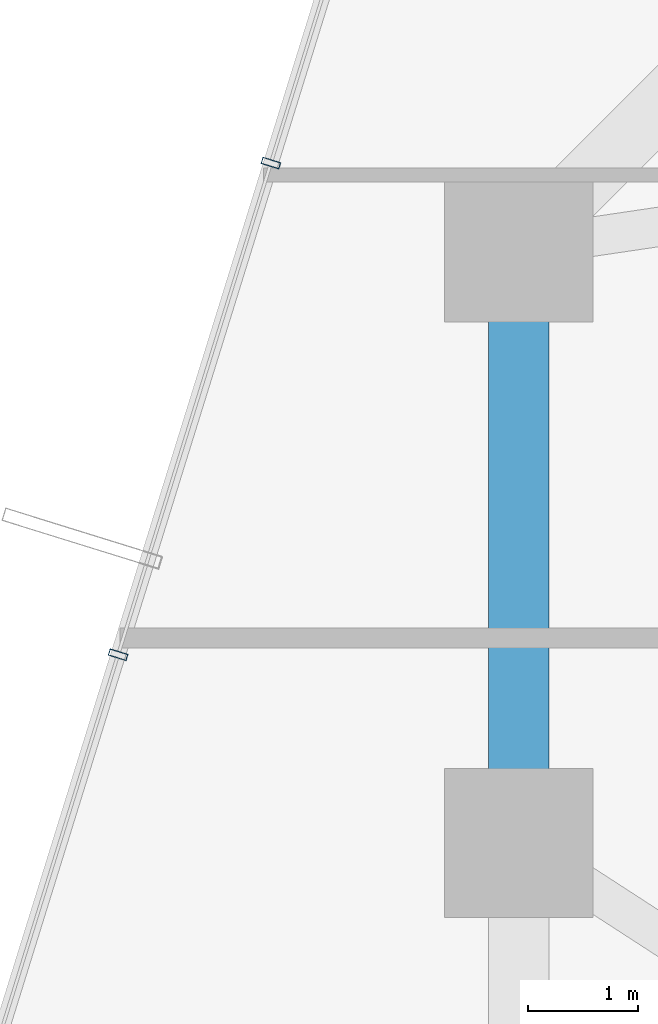
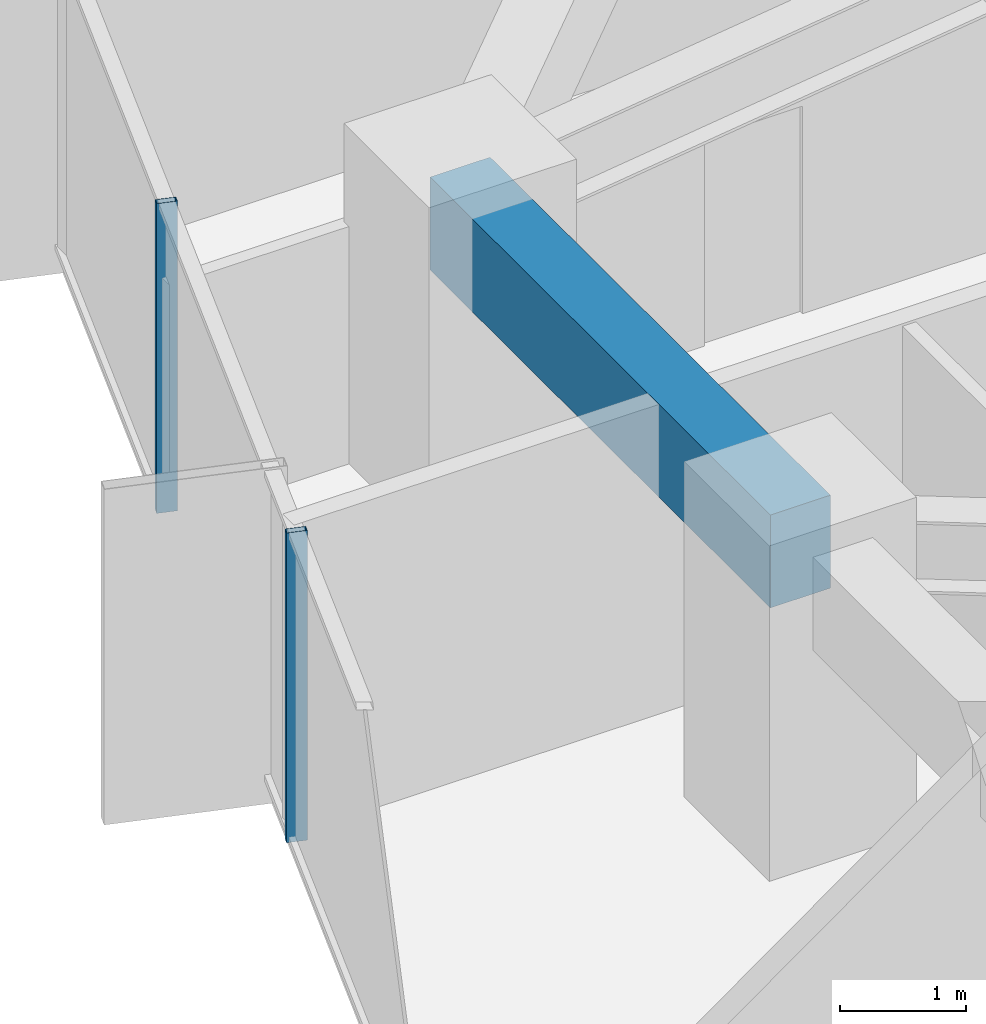
# One storey, part 12 of 39: 2 members, 1 beam, 1 element without a shape of its own.
"""IFC4 building model written with IfcOpenShell, lengths in metres."""

from ifc_helpers import new_model, si_unit, direction, frame, origin, origin_2d, place, context, subcontext, project, spatial, rectangle, hollow_rectangle, extrude, source, transform, mapped, material, layer, layer_set, material_profile, profile_set, type_object, element, aggregate, save


model = new_model("IFC4")

# Units and contexts
model_context = context("Model", 3, precision=1e-05, world=origin(), true_north=direction((0.0, 1.0)))
body_context = subcontext(model_context, "Body", "Model", "MODEL_VIEW")
ifc_project = project(units=[si_unit("LENGTHUNIT", "METRE"), si_unit("AREAUNIT", "SQUARE_METRE"), si_unit("VOLUMEUNIT", "CUBIC_METRE"), si_unit("PLANEANGLEUNIT", "RADIAN"), si_unit("MASSUNIT", "GRAM", prefix="KILO")], contexts=[model_context])

# Site, building, storey
site_placement = place(None, origin())
site = spatial("IfcSite", under=ifc_project, at=site_placement, CompositionType="ELEMENT")
building_placement = place(site_placement, origin())
building = spatial("IfcBuilding", under=site, at=building_placement, Name="Veraguas Prism Commons", CompositionType="ELEMENT")
storey_placement = place(building_placement, frame((0.0, 0.0, 67.35009765625)))
storey = spatial("IfcBuildingStorey", under=building, at=storey_placement, Name="L18", CompositionType="ELEMENT", Elevation=67.35009765625)

# Beam
ifc_material_1 = material(Name="Concrete C50/60", Category="concrete")
ifc_material_profile_1 = material_profile(ifc_material_1, rectangle(XDim=0.550048828125, YDim=0.89990234375, at=origin_2d()), Name="RC550X900")
ifc_profile_set_1 = profile_set([ifc_material_profile_1], Name="Concrete C50/60")
beam_type = type_object("IfcBeamType", Name="Perimeter Spandrel Lower RC 550x900", PredefinedType="SPANDREL", material=ifc_profile_set_1)
beam_placement = place(storey_placement, frame((6.39990234375, 29.39990234375, 2.5498046875), z_axis=(0.0, -1.0, 0.0), x_axis=(1.0, 0.0, 0.0)))
element("IfcBeam", 1, at=beam_placement, inside=storey, type_object=beam_type, Name="Perimeter Spandrel Beam L18-SP07", PredefinedType="SPANDREL", context=body_context, shape_type="SweptSolid", body=[
    extrude(rectangle(XDim=0.550048828125, YDim=0.89990234375, at=origin_2d()), origin(), (0.0, 0.0, 1.0), 5.39990234375),
])

# Curtain wall, members
ifc_material_2 = material(Name="Anodised aluminium EN AW-6063 T6", Category="aluminium")
ifc_layer = layer(ifc_material_2, 0.169921875, Name="Unitised Flush Curtain Wall Zone 1", Category="aluminium")
ifc_layer_set = layer_set([ifc_layer], Name="Anodised aluminium EN AW-6063 T6")
curtain_wall_type = type_object("IfcCurtainWallType", Name="Unitised Flush Curtain Wall Zone 1", PredefinedType="NOTDEFINED", material=ifc_layer_set)
curtain_wall_placement = place(storey_placement, origin())
curtain_wall = element("IfcCurtainWall", 2, at=curtain_wall_placement, inside=storey, type_object=curtain_wall_type, Name="Tower Facade Curtain Wall L18-F3", PredefinedType="NOTDEFINED")
ifc_material_profile_2 = material_profile(ifc_material_2, hollow_rectangle(XDim=0.06005859375, YDim=0.169921875, WallThickness=0.00390625, at=origin_2d()), Name="AL60X170X4")
ifc_profile_set_2 = profile_set([ifc_material_profile_2], Name="Anodised aluminium EN AW-6063 T6")
member_type = type_object("IfcMemberType", Name="Curtain Wall Mullion Lower AL 60x170x4", PredefinedType="MULLION", material=ifc_profile_set_2)
shared_shape = source(origin(), body_context, "Body", "SweptSolid", [
    extrude(hollow_rectangle(XDim=0.06005859375, YDim=0.169921875, WallThickness=0.00390625, at=origin_2d()), origin(), (0.0, 0.0, 1.0), 3.0),
])
member_1_placement = place(storey_placement, frame((4.1513671875, 30.1669921875, 0.0), z_axis=(0.0, 0.0, 1.0), x_axis=(-0.296709919616, -0.954967655788, 0.0)))
member_1 = element("IfcMember", 3, at=member_1_placement, type_object=member_type, Name="CW-Z1 Mullion 3", PredefinedType="MULLION", context=body_context, shape_type="MappedRepresentation", body=[
    mapped(shared_shape, transform((0.0, 0.0, 0.0), scale=1.0)),
])
member_2_placement = place(storey_placement, frame((2.765380859375, 25.706298828125, 0.0), z_axis=(0.0, 0.0, 1.0), x_axis=(-0.296709919616, -0.954967655788, 0.0)))
member_2 = element("IfcMember", 4, at=member_2_placement, type_object=member_type, Name="CW-Z1 Mullion 4", PredefinedType="MULLION", context=body_context, shape_type="MappedRepresentation", body=[
    mapped(shared_shape, transform((0.0, 0.0, 0.0), scale=1.0)),
])
aggregate(curtain_wall, [member_1, member_2])

save(model, "model.ifc")
